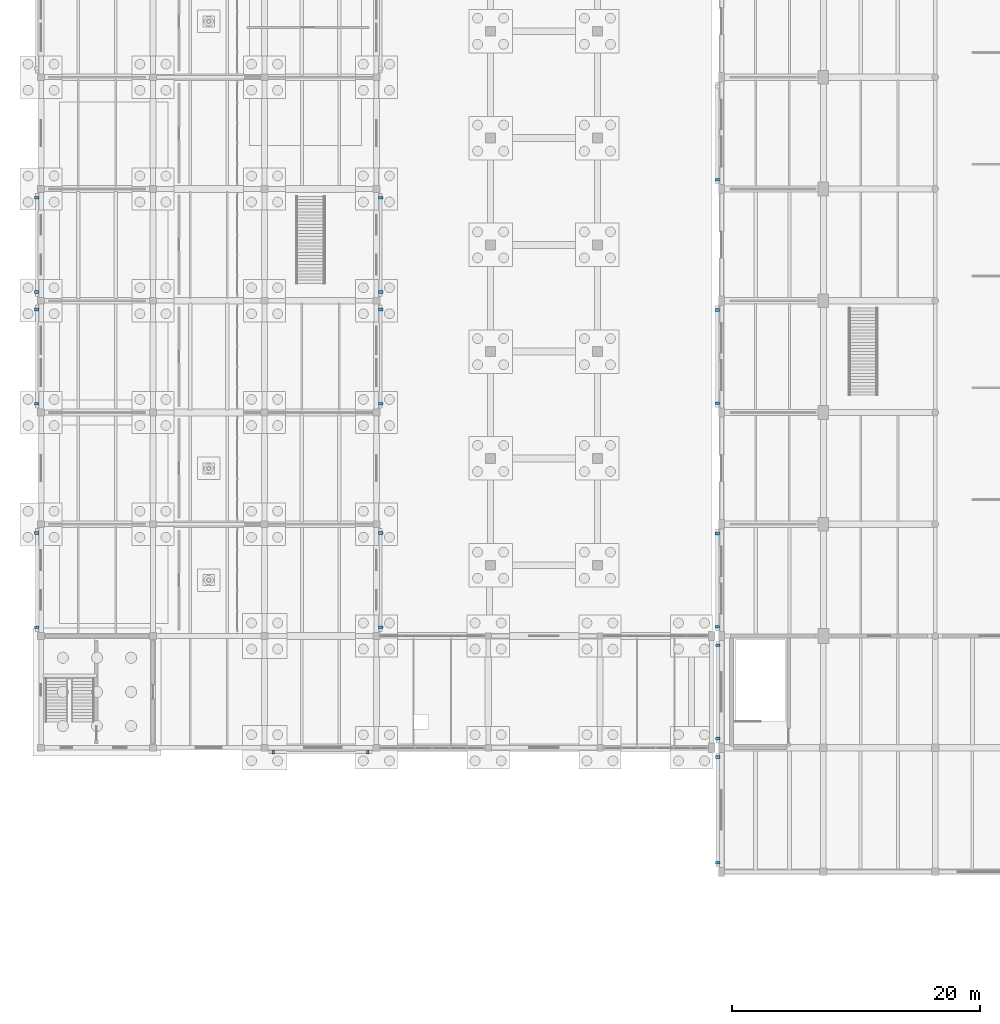
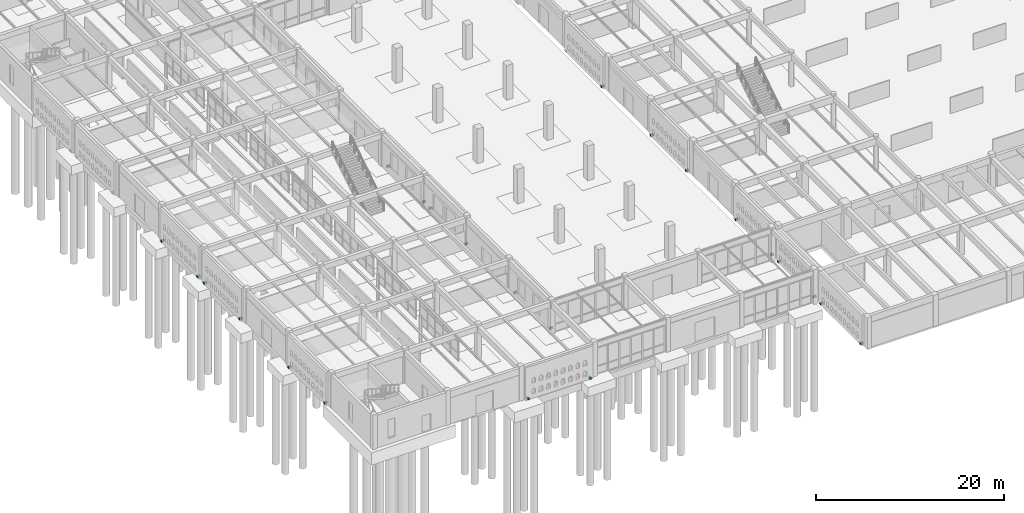
# One storey, part 173 of 186: 23 discrete accessories.
"""IFC4 building model written with IfcOpenShell, lengths in metres."""

from ifc_helpers import new_model, si_unit, direction, frame, origin, origin_2d, place, context, subcontext, project, spatial, rectangle, extrude, material, type_object, element, save


model = new_model("IFC4")

# Units and contexts
model_context = context("Model", 3, precision=1e-05, world=origin(), true_north=direction((0.0, 1.0)))
body_context = subcontext(model_context, "Body", "Model", "MODEL_VIEW")
ifc_project = project(units=[si_unit("LENGTHUNIT", "METRE"), si_unit("AREAUNIT", "SQUARE_METRE"), si_unit("VOLUMEUNIT", "CUBIC_METRE"), si_unit("PLANEANGLEUNIT", "RADIAN"), si_unit("MASSUNIT", "GRAM", prefix="KILO")], contexts=[model_context])

# Site, building, storey
site_placement = place(None, origin())
site = spatial("IfcSite", under=ifc_project, at=site_placement, CompositionType="ELEMENT")
building_placement = place(site_placement, origin())
building = spatial("IfcBuilding", under=site, at=building_placement, Name="Ornek Quay Market", CompositionType="ELEMENT")
storey_placement = place(building_placement, origin())
storey = spatial("IfcBuildingStorey", under=building, at=storey_placement, Name="L00", CompositionType="ELEMENT", Elevation=0.0)

# Discrete accessories
ifc_material = material(Name="Stainless steel 316", Category="steel")
discrete_accessory_type = type_object("IfcDiscreteAccessoryType", Name="ACC-BRK-SCREEN-250", PredefinedType="BRACKET", material=ifc_material)
for number, where, z_axis, x_axis, name in (
    (1, (-0.340087890625, 29.699951171875, 0.0), (0.0, 0.0, 1.0), (0.0, 1.0, 0.0), "Masonry screen bracket BRK-001"),
    (2, (-0.340087890625, 37.300048828125, 0.0), (0.0, 0.0, 1.0), (0.0, 1.0, 0.0), "Masonry screen bracket BRK-002"),
    (3, (-0.340087890625, 47.699951171875, 0.0), (0.0, 0.0, 1.0), (0.0, 1.0, 0.0), "Masonry screen bracket BRK-003"),
    (4, (-0.340087890625, 55.300048828125, 0.0), (0.0, 0.0, 1.0), (0.0, 1.0, 0.0), "Masonry screen bracket BRK-004"),
    (5, (-0.340087890625, 56.699951171875, 0.0), (0.0, 0.0, 1.0), (0.0, 1.0, 0.0), "Masonry screen bracket BRK-005"),
    (6, (-0.340087890625, 64.300048828125, 0.0), (0.0, 0.0, 1.0), (0.0, 1.0, 0.0), "Masonry screen bracket BRK-006"),
    (7, (27.340087890625, 29.699951171875, 0.0), (0.0, 0.0, 1.0), (0.0, 1.0, 0.0), "Masonry screen bracket BRK-013"),
    (8, (27.340087890625, 37.300048828125, 0.0), (0.0, 0.0, 1.0), (0.0, 1.0, 0.0), "Masonry screen bracket BRK-014"),
    (9, (27.340087890625, 47.699951171875, 0.0), (0.0, 0.0, 1.0), (0.0, 1.0, 0.0), "Masonry screen bracket BRK-015"),
    (10, (27.340087890625, 55.300048828125, 0.0), (0.0, 0.0, 1.0), (0.0, 1.0, 0.0), "Masonry screen bracket BRK-016"),
    (11, (27.340087890625, 56.699951171875, 0.0), (0.0, 0.0, 1.0), (0.0, 1.0, 0.0), "Masonry screen bracket BRK-017"),
    (12, (27.340087890625, 64.300048828125, 0.0), (0.0, 0.0, 1.0), (0.0, 1.0, 0.0), "Masonry screen bracket BRK-018"),
    (13, (18.699951171875, 19.659912109375, 0.0), (0.0, 0.0, 1.0), (1.0, 0.0, 0.0), "Masonry screen bracket BRK-023"),
    (14, (26.300048828125, 19.659912109375, 0.0), (0.0, 0.0, 1.0), (1.0, 0.0, 0.0), "Masonry screen bracket BRK-024"),
    (15, (54.47998046875, 10.75, 0.0), (0.0, 0.0, 1.0), (0.0, 1.0, 0.0), "Masonry screen bracket BRK-061"),
    (16, (54.47998046875, 19.25, 0.0), (0.0, 0.0, 1.0), (0.0, 1.0, 0.0), "Masonry screen bracket BRK-062"),
    (17, (54.47998046875, 20.75, 0.0), (0.0, 0.0, 1.0), (0.0, 1.0, 0.0), "Masonry screen bracket BRK-063"),
    (18, (54.47998046875, 28.25, 0.0), (0.0, 0.0, 1.0), (0.0, 1.0, 0.0), "Masonry screen bracket BRK-064"),
    (19, (54.4599609375, 29.75, 0.0), (0.0, 0.0, 1.0), (0.0, 1.0, 0.0), "Masonry screen bracket BRK-069"),
    (20, (54.4599609375, 37.25, 0.0), (0.0, 0.0, 1.0), (0.0, 1.0, 0.0), "Masonry screen bracket BRK-070"),
    (21, (54.4599609375, 47.75, 0.0), (0.0, 0.0, 1.0), (0.0, 1.0, 0.0), "Masonry screen bracket BRK-071"),
    (22, (54.4599609375, 55.25, 0.0), (0.0, 0.0, 1.0), (0.0, 1.0, 0.0), "Masonry screen bracket BRK-072"),
    (23, (54.4599609375, 65.75, 0.0), (0.0, 0.0, 1.0), (0.0, 1.0, 0.0), "Masonry screen bracket BRK-073"),
):
    element("IfcDiscreteAccessory", number, at=place(storey_placement, frame(where, z_axis=z_axis, x_axis=x_axis)), inside=storey, type_object=discrete_accessory_type, Name=name, PredefinedType="BRACKET", context=body_context, shape_type="SweptSolid", body=[
        extrude(rectangle(XDim=0.219970703125, YDim=0.360107421875, at=origin_2d()), origin(), (0.0, 0.0, 1.0), 0.260009765625),
    ])

save(model, "model.ifc")
